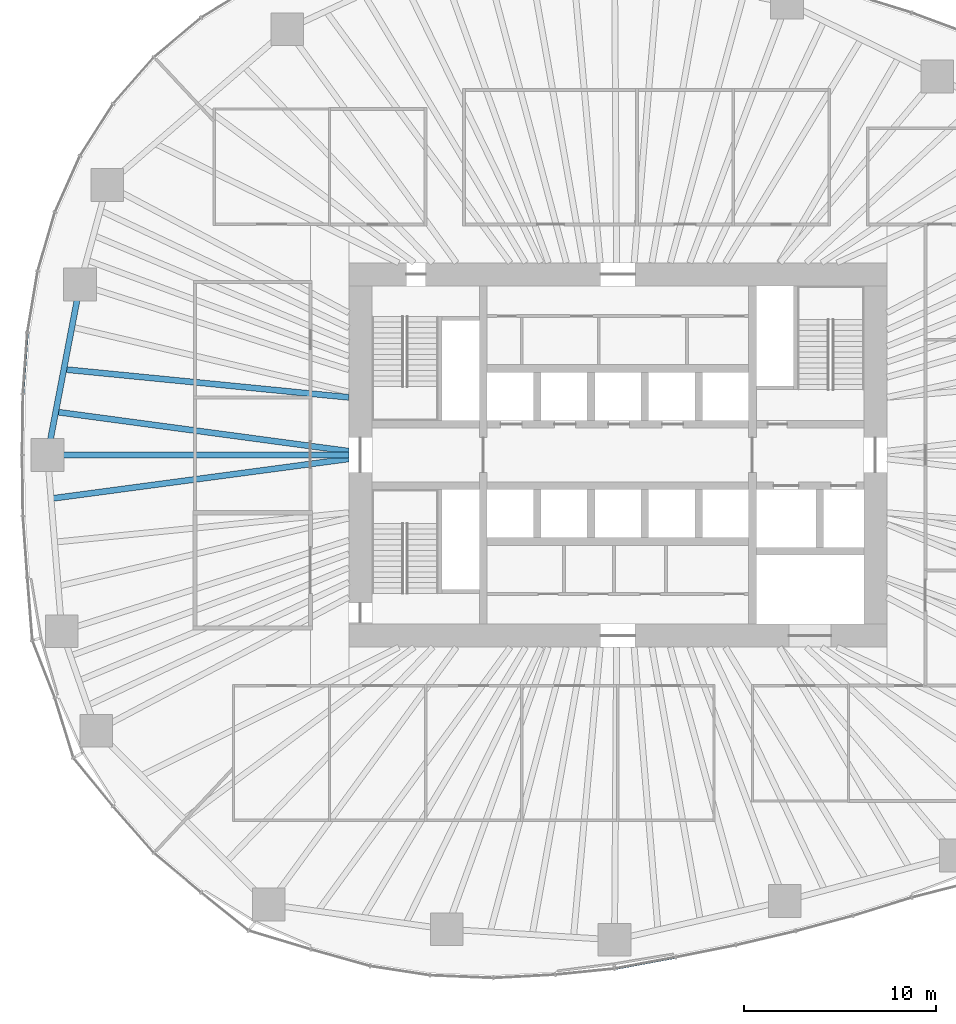
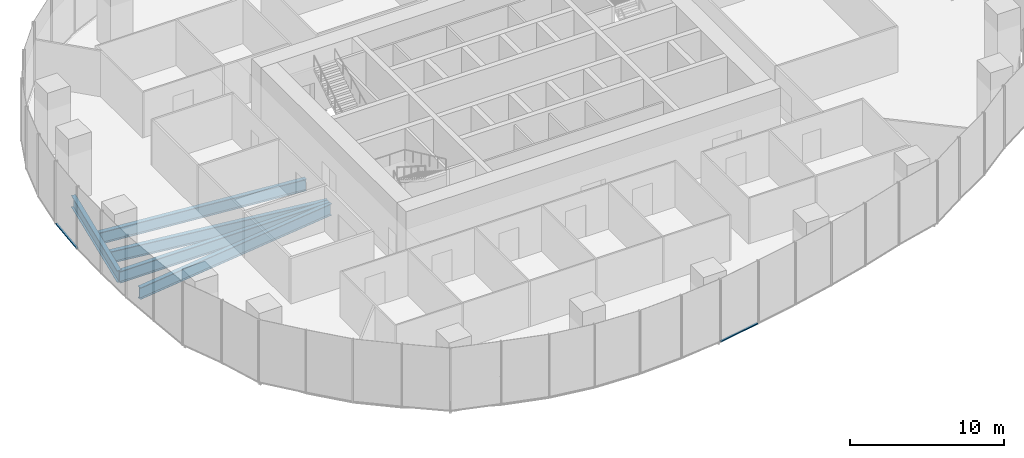
# One storey, part 3 of 20: 5 beams, 2 members, 2 elements without a shape of their own.
"""IFC4 building model written with IfcOpenShell, lengths in metres."""

from ifc_helpers import new_model, si_unit, direction, frame, origin, origin_2d, place, context, subcontext, project, spatial, rectangle, i_section, extrude, material, material_profile, profile_set, type_object, element, aggregate, save


model = new_model("IFC4")

# Units and contexts
model_context = context("Model", 3, precision=1e-05, world=origin(), true_north=direction((0.0, 1.0)))
body_context = subcontext(model_context, "Body", "Model", "MODEL_VIEW")
ifc_project = project(units=[si_unit("LENGTHUNIT", "METRE"), si_unit("AREAUNIT", "SQUARE_METRE"), si_unit("VOLUMEUNIT", "CUBIC_METRE"), si_unit("PLANEANGLEUNIT", "RADIAN"), si_unit("MASSUNIT", "GRAM", prefix="KILO")], contexts=[model_context])

# Site, building, storey
site_placement = place(None, origin())
site = spatial("IfcSite", under=ifc_project, at=site_placement, CompositionType="ELEMENT")
building_placement = place(site_placement, origin())
building = spatial("IfcBuilding", under=site, at=building_placement, Name="Ghaith Harvest Tower", CompositionType="ELEMENT")
storey_placement = place(building_placement, frame((0.0, 0.0, 55.0)))
storey = spatial("IfcBuildingStorey", under=building, at=storey_placement, Name="L11", CompositionType="ELEMENT", Elevation=55.0)

# Curtain wall, member
ifc_material_1 = material(Name="Black anodised aluminium and fritted glass", Category="aluminium")
curtain_wall_type = type_object("IfcCurtainWallType", Name="CW-F CURTAIN WALL", PredefinedType="NOTDEFINED", material=ifc_material_1)
curtain_wall_1_placement = place(storey_placement, origin())
curtain_wall_1 = element("IfcCurtainWall", 1, at=curtain_wall_1_placement, inside=storey, type_object=curtain_wall_type, Name="Curtain wall CW-F bay 10 L11", PredefinedType="NOTDEFINED")
ifc_material_2 = material(Name="Aluminium, black anodised", Category="aluminium")
ifc_material_profile_1 = material_profile(ifc_material_2, rectangle(XDim=0.139892578125, YDim=0.080078125, at=origin_2d()), Name="CW-F TRANSOM 140x80")
ifc_profile_set_1 = profile_set([ifc_material_profile_1], Name="Aluminium, black anodised")
member_type = type_object("IfcMemberType", Name="CW-F TRANSOM 140x80", PredefinedType="USERDEFINED", material=ifc_profile_set_1)
member_1_placement = place(storey_placement, frame((-30.72705078125, 6.335693359375, 0.0400390625), z_axis=(-0.072473547161, -0.997370334912, 0.0), x_axis=(0.997370334912, -0.072473547161, 0.0)))
member_1 = element("IfcMember", 2, at=member_1_placement, type_object=member_type, Name="CW-F transom 2 bay 10 L11", ObjectType="TRANSOM", PredefinedType="USERDEFINED", context=body_context, shape_type="SweptSolid", body=[
    extrude(rectangle(XDim=0.139892578125, YDim=0.080078125, at=origin_2d()), origin(), (0.0, 0.0, 1.0), 3.126220703125),
])
aggregate(curtain_wall_1, [member_1])

curtain_wall_2_placement = place(storey_placement, origin())
curtain_wall_2 = element("IfcCurtainWall", 3, at=curtain_wall_2_placement, inside=storey, type_object=curtain_wall_type, Name="Curtain wall CW-F bay 16 L11", PredefinedType="NOTDEFINED")
member_2_placement = place(storey_placement, frame((-0.1435546875, -26.709716796875, 0.0400390625), z_axis=(0.983139075124, 0.182859396706, 0.0), x_axis=(-0.182859396706, 0.983139075124, 0.0)))
member_2 = element("IfcMember", 4, at=member_2_placement, type_object=member_type, Name="CW-F transom 1 bay 16 L11", ObjectType="TRANSOM", PredefinedType="USERDEFINED", context=body_context, shape_type="SweptSolid", body=[
    extrude(rectangle(XDim=0.139892578125, YDim=0.080078125, at=origin_2d()), origin(), (0.0, 0.0, 1.0), 3.1669921875),
])
aggregate(curtain_wall_2, [member_2])

# Beams
ifc_material_3 = material(Name="Steel ASTM A992 Grade 50", Category="steel")
ifc_material_profile_2 = material_profile(ifc_material_3, i_section(OverallWidth=0.306884765625, OverallDepth=0.94189453125, WebThickness=0.022216796875, FlangeThickness=0.039794921875, at=origin_2d()), Name="W920X345")
ifc_profile_set_2 = profile_set([ifc_material_profile_2], Name="Steel ASTM A992 Grade 50")
beam_type_1 = type_object("IfcBeamType", Name="E920-345 W920X345", PredefinedType="SPANDREL", material=ifc_profile_set_2)
beam_1_placement = place(storey_placement, frame((-27.98291015625, 8.867919921875, -0.6708984375), z_axis=(-0.187433949108, -0.982277208695, 0.0), x_axis=(0.982277208695, -0.187433949108, 0.0)))
element("IfcBeam", 5, at=beam_1_placement, inside=storey, type_object=beam_type_1, Name="Edge beam E10 L11", PredefinedType="SPANDREL", context=body_context, shape_type="SweptSolid", body=[
    extrude(i_section(OverallWidth=0.306884765625, OverallDepth=0.94189453125, WebThickness=0.022216796875, FlangeThickness=0.039794921875, at=origin_2d()), origin(), (0.0, 0.0, 1.0), 9.02783203125),
])
ifc_material_4 = material(Name="Steel ASTM A992 Grade 50", Category="steel")
ifc_material_profile_3 = material_profile(ifc_material_4, i_section(OverallWidth=0.306884765625, OverallDepth=0.94189453125, WebThickness=0.022216796875, FlangeThickness=0.039794921875, at=origin_2d()), Name="W920X345")
ifc_profile_set_3 = profile_set([ifc_material_profile_3], Name="Steel ASTM A992 Grade 50")
beam_type_2 = type_object("IfcBeamType", Name="G920-345 W920X345", PredefinedType="BEAM", material=ifc_profile_set_3)
beam_2_placement = place(storey_placement, frame((-14.0, 0.0, -0.6708984375), z_axis=(-1.0, 0.0, 0.0), x_axis=(0.0, -1.0, 0.0)))
element("IfcBeam", 6, at=beam_2_placement, inside=storey, type_object=beam_type_2, Name="Radial girder G11 L11", PredefinedType="BEAM", context=body_context, shape_type="SweptSolid", body=[
    extrude(i_section(OverallWidth=0.306884765625, OverallDepth=0.94189453125, WebThickness=0.022216796875, FlangeThickness=0.039794921875, at=origin_2d()), origin(), (0.0, 0.0, 1.0), 15.675048828125),
])
ifc_material_5 = material(Name="Steel ASTM A992 Grade 50", Category="steel")
ifc_material_profile_4 = material_profile(ifc_material_5, i_section(OverallWidth=0.31005859375, OverallDepth=0.927001953125, WebThickness=0.019287109375, FlangeThickness=0.031982421875, at=origin_2d()), Name="W920X289")
ifc_profile_set_4 = profile_set([ifc_material_profile_4], Name="Steel ASTM A992 Grade 50")
beam_type_3 = type_object("IfcBeamType", Name="J920-289 W920X289", PredefinedType="JOIST", material=ifc_profile_set_4)
beam_3_placement = place(storey_placement, frame((-14.0, 3.0, -0.66357421875), z_axis=(-0.995196704135, 0.097895454848, 0.0), x_axis=(-0.097895454848, -0.995196704135, 0.0)))
element("IfcBeam", 7, at=beam_3_placement, inside=storey, type_object=beam_type_3, Name="Joist J10.2 L11", PredefinedType="JOIST", context=body_context, shape_type="SweptSolid", body=[
    extrude(i_section(OverallWidth=0.31005859375, OverallDepth=0.927001953125, WebThickness=0.019287109375, FlangeThickness=0.031982421875, at=origin_2d()), origin(), (0.0, 0.0, 1.0), 14.89599609375),
])
beam_4_placement = place(storey_placement, frame((-14.0, 0.199951171875, -0.66357421875), z_axis=(-0.991095171591, 0.133155401128, 0.0), x_axis=(-0.133155401128, -0.991095171591, 0.0)))
element("IfcBeam", 8, at=beam_4_placement, inside=storey, type_object=beam_type_3, Name="Joist J10.3 L11", PredefinedType="JOIST", context=body_context, shape_type="SweptSolid", body=[
    extrude(i_section(OverallWidth=0.31005859375, OverallDepth=0.927001953125, WebThickness=0.019287109375, FlangeThickness=0.031982421875, at=origin_2d()), origin(), (0.0, 0.0, 1.0), 15.383056640625),
])
beam_5_placement = place(storey_placement, frame((-14.0, -0.199951171875, -0.66357421875), z_axis=(-0.991213569042, -0.132271162948, 0.0), x_axis=(0.132271162948, -0.991213569042, 0.0)))
element("IfcBeam", 9, at=beam_5_placement, inside=storey, type_object=beam_type_3, Name="Joist J11.1 L11", PredefinedType="JOIST", context=body_context, shape_type="SweptSolid", body=[
    extrude(i_section(OverallWidth=0.31005859375, OverallDepth=0.927001953125, WebThickness=0.019287109375, FlangeThickness=0.031982421875, at=origin_2d()), origin(), (0.0, 0.0, 1.0), 15.6279296875),
])

save(model, "model.ifc")
